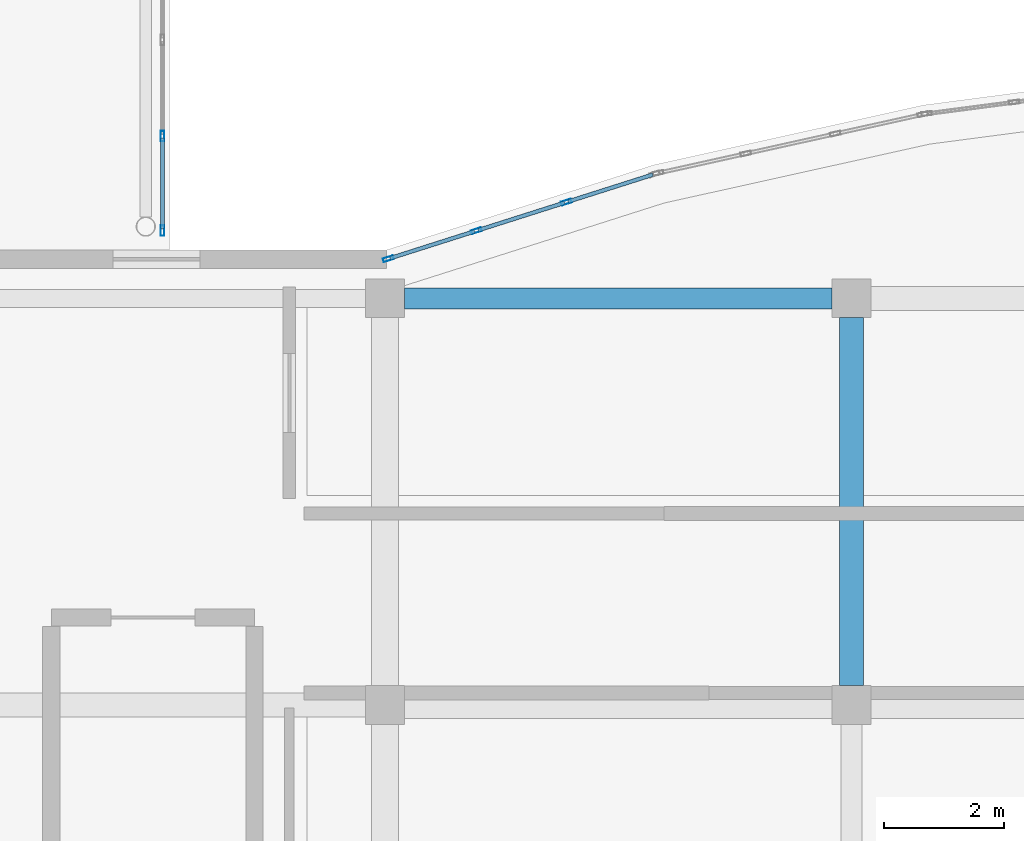
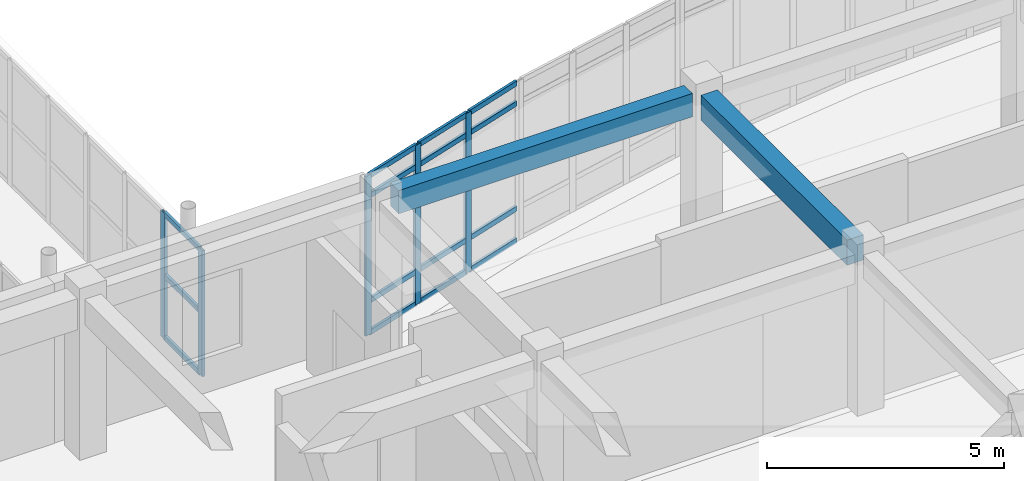
# One storey, part 43 of 142: 20 members, 2 beams, 2 elements without a shape of their own.
"""IFC4 building model written with IfcOpenShell, lengths in metres."""

from ifc_helpers import new_model, si_unit, direction, frame, origin, origin_2d, place, context, subcontext, project, spatial, rectangle, hollow_rectangle, extrude, material, layer, layer_set, material_profile, profile_set, type_object, element, aggregate, save


model = new_model("IFC4")

# Units and contexts
model_context = context("Model", 3, precision=1e-05, world=origin(), true_north=direction((0.0, 1.0)))
body_context = subcontext(model_context, "Body", "Model", "MODEL_VIEW")
ifc_project = project(units=[si_unit("LENGTHUNIT", "METRE"), si_unit("AREAUNIT", "SQUARE_METRE"), si_unit("VOLUMEUNIT", "CUBIC_METRE"), si_unit("PLANEANGLEUNIT", "RADIAN"), si_unit("MASSUNIT", "GRAM", prefix="KILO")], contexts=[model_context])

# Site, building, storey
site_placement = place(None, origin())
site = spatial("IfcSite", under=ifc_project, at=site_placement, CompositionType="ELEMENT")
building_placement = place(site_placement, origin())
building = spatial("IfcBuilding", under=site, at=building_placement, Name="Valcora Specialist Clinic", CompositionType="ELEMENT")
storey_placement = place(building_placement, frame((0.0, 0.0, 5.10009765625)))
storey = spatial("IfcBuildingStorey", under=building, at=storey_placement, Name="L01", CompositionType="ELEMENT", Elevation=5.10009765625)

# Beams
ifc_material_1 = material(Name="Concrete C40/50", Category="concrete")
ifc_material_profile_1 = material_profile(ifc_material_1, rectangle(XDim=0.35009765625, YDim=0.60009765625, at=origin_2d()), Name="RC-BM-350X600")
ifc_profile_set_1 = profile_set([ifc_material_profile_1], Name="Concrete C40/50")
beam_type_1 = type_object("IfcBeamType", Name="TY-BM-RC350X600", PredefinedType="BEAM", material=ifc_profile_set_1)
beam_1_placement = place(storey_placement, frame((69.324951171875, 22.0, 3.804931640625), z_axis=(1.0, 0.0, 0.0), x_axis=(0.0, 1.0, 0.0)))
element("IfcBeam", 1, at=beam_1_placement, inside=storey, type_object=beam_type_1, Name="Beam BM-L01-1322", PredefinedType="BEAM", context=body_context, shape_type="SweptSolid", body=[
    extrude(rectangle(XDim=0.35009765625, YDim=0.60009765625, at=origin_2d()), origin(), (0.0, 0.0, 1.0), 7.150146484375),
])
ifc_material_profile_2 = material_profile(ifc_material_1, rectangle(XDim=0.39990234375, YDim=0.64990234375, at=origin_2d()), Name="RC-BM-400X650")
ifc_profile_set_2 = profile_set([ifc_material_profile_2], Name="Concrete C40/50")
beam_type_2 = type_object("IfcBeamType", Name="TY-BM-RC400X650", PredefinedType="BEAM", material=ifc_profile_set_2)
beam_2_placement = place(storey_placement, frame((76.800048828125, 15.52490234375, 3.77978515625), z_axis=(0.0, 1.0, 0.0), x_axis=(-1.0, 0.0, 0.0)))
element("IfcBeam", 2, at=beam_2_placement, inside=storey, type_object=beam_type_2, Name="Beam BM-L01-1339", PredefinedType="BEAM", context=body_context, shape_type="SweptSolid", body=[
    extrude(rectangle(XDim=0.39990234375, YDim=0.64990234375, at=origin_2d()), origin(), (0.0, 0.0, 1.0), 6.150146484375),
])

# Curtain wall, members
ifc_material_2 = material(Name="Anodized Bronze Aluminium 6063-T6", Category="aluminium")
ifc_layer_1 = layer(ifc_material_2, 0.175048828125)
ifc_layer_set_1 = layer_set([ifc_layer_1], Name="Anodized Bronze Aluminium 6063-T6")
curtain_wall_type_1 = type_object("IfcCurtainWallType", Name="TY-CW-ARC44", PredefinedType="NOTDEFINED", material=ifc_layer_set_1)
curtain_wall_1_placement = place(storey_placement, origin())
curtain_wall_1 = element("IfcCurtainWall", 3, at=curtain_wall_1_placement, inside=storey, type_object=curtain_wall_type_1, Name="Curtain wall CW-L01-194", PredefinedType="NOTDEFINED")
ifc_material_profile_3 = material_profile(ifc_material_2, hollow_rectangle(XDim=0.06494140625, YDim=0.175048828125, WallThickness=0.00390625, at=origin_2d()), Name="AL-MUL-65X175")
ifc_profile_set_3 = profile_set([ifc_material_profile_3], Name="Anodized Bronze Aluminium 6063-T6")
member_type_1 = type_object("IfcMemberType", Name="TY-CWM-65X175", PredefinedType="MULLION", material=ifc_profile_set_3)
member_1_placement = place(storey_placement, frame((69.05419921875, 22.659912109375, 0.0), z_axis=(0.0, 0.0, 1.0), x_axis=(-0.303233270958, 0.952916356972, 0.0)))
member_1 = element("IfcMember", 4, at=member_1_placement, type_object=member_type_1, Name="CW-ARC-44 mullion 1", PredefinedType="MULLION", context=body_context, shape_type="SweptSolid", body=[
    extrude(hollow_rectangle(XDim=0.06494140625, YDim=0.175048828125, WallThickness=0.00390625, at=origin_2d()), origin(), (0.0, 0.0, 1.0), 4.10498046875),
])
member_2_placement = place(storey_placement, frame((70.528564453125, 23.12890625, 0.0), z_axis=(0.0, 0.0, 1.0), x_axis=(-0.303233270958, 0.952916356972, 0.0)))
member_2 = element("IfcMember", 5, at=member_2_placement, type_object=member_type_1, Name="CW-ARC-44 mullion 2", PredefinedType="MULLION", context=body_context, shape_type="SweptSolid", body=[
    extrude(hollow_rectangle(XDim=0.06494140625, YDim=0.175048828125, WallThickness=0.00390625, at=origin_2d()), origin(), (0.0, 0.0, 1.0), 4.10498046875),
])
member_3_placement = place(storey_placement, frame((72.033935546875, 23.60791015625, 0.0), z_axis=(0.0, 0.0, 1.0), x_axis=(-0.303233270958, 0.952916356972, 0.0)))
member_3 = element("IfcMember", 6, at=member_3_placement, type_object=member_type_1, Name="CW-ARC-44 mullion 3", PredefinedType="MULLION", context=body_context, shape_type="SweptSolid", body=[
    extrude(hollow_rectangle(XDim=0.06494140625, YDim=0.175048828125, WallThickness=0.00390625, at=origin_2d()), origin(), (0.0, 0.0, 1.0), 4.10498046875),
])

ifc_layer_2 = layer(ifc_material_2, 0.175048828125)
ifc_layer_set_2 = layer_set([ifc_layer_2], Name="Anodized Bronze Aluminium 6063-T6")
curtain_wall_type_2 = type_object("IfcCurtainWallType", Name="TY-CW-BRG14", PredefinedType="NOTDEFINED", material=ifc_layer_set_2)
curtain_wall_2_placement = place(storey_placement, origin())
curtain_wall_2 = element("IfcCurtainWall", 7, at=curtain_wall_2_placement, inside=storey, type_object=curtain_wall_type_2, Name="Curtain wall CW-L01-240", PredefinedType="NOTDEFINED")
member_4_placement = place(storey_placement, frame((65.280029296875, 23.132568359375, 0.0), z_axis=(0.0, 0.0, 1.0), x_axis=(-1.0, 0.0, 0.0)))
member_4 = element("IfcMember", 8, at=member_4_placement, type_object=member_type_1, Name="CW-BRG-14 mullion 1", PredefinedType="MULLION", context=body_context, shape_type="SweptSolid", body=[
    extrude(hollow_rectangle(XDim=0.06494140625, YDim=0.175048828125, WallThickness=0.00390625, at=origin_2d()), origin(), (0.0, 0.0, 1.0), 3.239990234375),
])
member_5_placement = place(storey_placement, frame((65.280029296875, 24.711181640625, 0.0), z_axis=(0.0, 0.0, 1.0), x_axis=(-1.0, 0.0, 0.0)))
member_5 = element("IfcMember", 9, at=member_5_placement, type_object=member_type_1, Name="CW-BRG-14 mullion 2", PredefinedType="MULLION", context=body_context, shape_type="SweptSolid", body=[
    extrude(hollow_rectangle(XDim=0.06494140625, YDim=0.175048828125, WallThickness=0.00390625, at=origin_2d()), origin(), (0.0, 0.0, 1.0), 3.239990234375),
])

# Member
ifc_material_profile_4 = material_profile(ifc_material_2, hollow_rectangle(XDim=0.06494140625, YDim=0.1298828125, WallThickness=0.00390625, at=origin_2d()), Name="AL-TRN-65X130")
ifc_profile_set_4 = profile_set([ifc_material_profile_4], Name="Anodized Bronze Aluminium 6063-T6")
member_type_2 = type_object("IfcMemberType", Name="TY-CWT-65X130", PredefinedType="USERDEFINED", material=ifc_profile_set_4)
member_6_placement = place(storey_placement, frame((69.085205078125, 22.669677734375, 0.032470703125), z_axis=(0.952910635624, 0.303251249816, 0.0), x_axis=(-0.303251249816, 0.952910635624, 0.0)))
member_6 = element("IfcMember", 10, at=member_6_placement, type_object=member_type_2, Name="CW-ARC-44 transom 1.1", ObjectType="TRANSOM", PredefinedType="USERDEFINED", context=body_context, shape_type="SweptSolid", body=[
    extrude(hollow_rectangle(XDim=0.06494140625, YDim=0.1298828125, WallThickness=0.00390625, at=origin_2d()), origin(), (0.0, 0.0, 1.0), 1.482177734375),
])

member_7_placement = place(storey_placement, frame((69.085205078125, 22.669677734375, 0.849853515625), z_axis=(0.952910635624, 0.303251249816, 0.0), x_axis=(-0.303251249816, 0.952910635624, 0.0)))
member_7 = element("IfcMember", 11, at=member_7_placement, type_object=member_type_2, Name="CW-ARC-44 transom 1.2", ObjectType="TRANSOM", PredefinedType="USERDEFINED", context=body_context, shape_type="SweptSolid", body=[
    extrude(hollow_rectangle(XDim=0.06494140625, YDim=0.1298828125, WallThickness=0.00390625, at=origin_2d()), origin(), (0.0, 0.0, 1.0), 1.482177734375),
])

member_8_placement = place(storey_placement, frame((69.085205078125, 22.669677734375, 3.554931640625), z_axis=(0.952910635624, 0.303251249816, 0.0), x_axis=(-0.303251249816, 0.952910635624, 0.0)))
member_8 = element("IfcMember", 12, at=member_8_placement, type_object=member_type_2, Name="CW-ARC-44 transom 1.3", ObjectType="TRANSOM", PredefinedType="USERDEFINED", context=body_context, shape_type="SweptSolid", body=[
    extrude(hollow_rectangle(XDim=0.06494140625, YDim=0.1298828125, WallThickness=0.00390625, at=origin_2d()), origin(), (0.0, 0.0, 1.0), 1.482177734375),
])

member_9_placement = place(storey_placement, frame((69.085205078125, 22.669677734375, 4.072509765625), z_axis=(0.952910635624, 0.303251249816, 0.0), x_axis=(-0.303251249816, 0.952910635624, 0.0)))
member_9 = element("IfcMember", 13, at=member_9_placement, type_object=member_type_2, Name="CW-ARC-44 transom 1.4", ObjectType="TRANSOM", PredefinedType="USERDEFINED", context=body_context, shape_type="SweptSolid", body=[
    extrude(hollow_rectangle(XDim=0.06494140625, YDim=0.1298828125, WallThickness=0.00390625, at=origin_2d()), origin(), (0.0, 0.0, 1.0), 1.482177734375),
])

member_10_placement = place(storey_placement, frame((70.5595703125, 23.138916015625, 0.032470703125), z_axis=(0.952930013692, 0.303190351109, 0.0), x_axis=(-0.303190351109, 0.952930013692, 0.0)))
member_10 = element("IfcMember", 14, at=member_10_placement, type_object=member_type_2, Name="CW-ARC-44 transom 2.1", ObjectType="TRANSOM", PredefinedType="USERDEFINED", context=body_context, shape_type="SweptSolid", body=[
    extrude(hollow_rectangle(XDim=0.06494140625, YDim=0.1298828125, WallThickness=0.00390625, at=origin_2d()), origin(), (0.0, 0.0, 1.0), 1.5146484375),
])

member_11_placement = place(storey_placement, frame((70.5595703125, 23.138916015625, 0.849853515625), z_axis=(0.952930013692, 0.303190351109, 0.0), x_axis=(-0.303190351109, 0.952930013692, 0.0)))
member_11 = element("IfcMember", 15, at=member_11_placement, type_object=member_type_2, Name="CW-ARC-44 transom 2.2", ObjectType="TRANSOM", PredefinedType="USERDEFINED", context=body_context, shape_type="SweptSolid", body=[
    extrude(hollow_rectangle(XDim=0.06494140625, YDim=0.1298828125, WallThickness=0.00390625, at=origin_2d()), origin(), (0.0, 0.0, 1.0), 1.5146484375),
])

member_12_placement = place(storey_placement, frame((70.5595703125, 23.138916015625, 3.554931640625), z_axis=(0.952930013692, 0.303190351109, 0.0), x_axis=(-0.303190351109, 0.952930013692, 0.0)))
member_12 = element("IfcMember", 16, at=member_12_placement, type_object=member_type_2, Name="CW-ARC-44 transom 2.3", ObjectType="TRANSOM", PredefinedType="USERDEFINED", context=body_context, shape_type="SweptSolid", body=[
    extrude(hollow_rectangle(XDim=0.06494140625, YDim=0.1298828125, WallThickness=0.00390625, at=origin_2d()), origin(), (0.0, 0.0, 1.0), 1.5146484375),
])

member_13_placement = place(storey_placement, frame((70.5595703125, 23.138916015625, 4.072509765625), z_axis=(0.952930013692, 0.303190351109, 0.0), x_axis=(-0.303190351109, 0.952930013692, 0.0)))
member_13 = element("IfcMember", 17, at=member_13_placement, type_object=member_type_2, Name="CW-ARC-44 transom 2.4", ObjectType="TRANSOM", PredefinedType="USERDEFINED", context=body_context, shape_type="SweptSolid", body=[
    extrude(hollow_rectangle(XDim=0.06494140625, YDim=0.1298828125, WallThickness=0.00390625, at=origin_2d()), origin(), (0.0, 0.0, 1.0), 1.5146484375),
])

member_14_placement = place(storey_placement, frame((72.064697265625, 23.617919921875, 0.032470703125), z_axis=(0.952910635624, 0.303251249816, 0.0), x_axis=(-0.303251249816, 0.952910635624, 0.0)))
member_14 = element("IfcMember", 18, at=member_14_placement, type_object=member_type_2, Name="CW-ARC-44 transom 3.1", ObjectType="TRANSOM", PredefinedType="USERDEFINED", context=body_context, shape_type="SweptSolid", body=[
    extrude(hollow_rectangle(XDim=0.06494140625, YDim=0.1298828125, WallThickness=0.00390625, at=origin_2d()), origin(), (0.0, 0.0, 1.0), 1.482177734375),
])

member_15_placement = place(storey_placement, frame((72.064697265625, 23.617919921875, 0.849853515625), z_axis=(0.952910635624, 0.303251249816, 0.0), x_axis=(-0.303251249816, 0.952910635624, 0.0)))
member_15 = element("IfcMember", 19, at=member_15_placement, type_object=member_type_2, Name="CW-ARC-44 transom 3.2", ObjectType="TRANSOM", PredefinedType="USERDEFINED", context=body_context, shape_type="SweptSolid", body=[
    extrude(hollow_rectangle(XDim=0.06494140625, YDim=0.1298828125, WallThickness=0.00390625, at=origin_2d()), origin(), (0.0, 0.0, 1.0), 1.482177734375),
])

member_16_placement = place(storey_placement, frame((72.064697265625, 23.617919921875, 3.554931640625), z_axis=(0.952910635624, 0.303251249816, 0.0), x_axis=(-0.303251249816, 0.952910635624, 0.0)))
member_16 = element("IfcMember", 20, at=member_16_placement, type_object=member_type_2, Name="CW-ARC-44 transom 3.3", ObjectType="TRANSOM", PredefinedType="USERDEFINED", context=body_context, shape_type="SweptSolid", body=[
    extrude(hollow_rectangle(XDim=0.06494140625, YDim=0.1298828125, WallThickness=0.00390625, at=origin_2d()), origin(), (0.0, 0.0, 1.0), 1.482177734375),
])

member_17_placement = place(storey_placement, frame((72.064697265625, 23.617919921875, 4.072509765625), z_axis=(0.952910635624, 0.303251249816, 0.0), x_axis=(-0.303251249816, 0.952910635624, 0.0)))
member_17 = element("IfcMember", 21, at=member_17_placement, type_object=member_type_2, Name="CW-ARC-44 transom 3.4", ObjectType="TRANSOM", PredefinedType="USERDEFINED", context=body_context, shape_type="SweptSolid", body=[
    extrude(hollow_rectangle(XDim=0.06494140625, YDim=0.1298828125, WallThickness=0.00390625, at=origin_2d()), origin(), (0.0, 0.0, 1.0), 1.482177734375),
])

aggregate(curtain_wall_1, [member_1, member_2, member_3, member_6, member_7, member_8, member_9, member_10, member_11, member_12, member_13, member_14, member_15, member_16, member_17])

member_18_placement = place(storey_placement, frame((65.280029296875, 23.1650390625, 0.032470703125), z_axis=(0.0, 1.0, 0.0), x_axis=(-1.0, 0.0, 0.0)))
member_18 = element("IfcMember", 22, at=member_18_placement, type_object=member_type_2, Name="CW-BRG-14 transom 1.1", ObjectType="TRANSOM", PredefinedType="USERDEFINED", context=body_context, shape_type="SweptSolid", body=[
    extrude(hollow_rectangle(XDim=0.06494140625, YDim=0.1298828125, WallThickness=0.00390625, at=origin_2d()), origin(), (0.0, 0.0, 1.0), 1.513671875),
])

member_19_placement = place(storey_placement, frame((65.280029296875, 23.1650390625, 1.619873046875), z_axis=(0.0, 1.0, 0.0), x_axis=(-1.0, 0.0, 0.0)))
member_19 = element("IfcMember", 23, at=member_19_placement, type_object=member_type_2, Name="CW-BRG-14 transom 1.2", ObjectType="TRANSOM", PredefinedType="USERDEFINED", context=body_context, shape_type="SweptSolid", body=[
    extrude(hollow_rectangle(XDim=0.06494140625, YDim=0.1298828125, WallThickness=0.00390625, at=origin_2d()), origin(), (0.0, 0.0, 1.0), 1.513671875),
])

member_20_placement = place(storey_placement, frame((65.280029296875, 23.1650390625, 3.20751953125), z_axis=(0.0, 1.0, 0.0), x_axis=(-1.0, 0.0, 0.0)))
member_20 = element("IfcMember", 24, at=member_20_placement, type_object=member_type_2, Name="CW-BRG-14 transom 1.3", ObjectType="TRANSOM", PredefinedType="USERDEFINED", context=body_context, shape_type="SweptSolid", body=[
    extrude(hollow_rectangle(XDim=0.06494140625, YDim=0.1298828125, WallThickness=0.00390625, at=origin_2d()), origin(), (0.0, 0.0, 1.0), 1.513671875),
])

aggregate(curtain_wall_2, [member_4, member_5, member_18, member_19, member_20])

save(model, "model.ifc")
